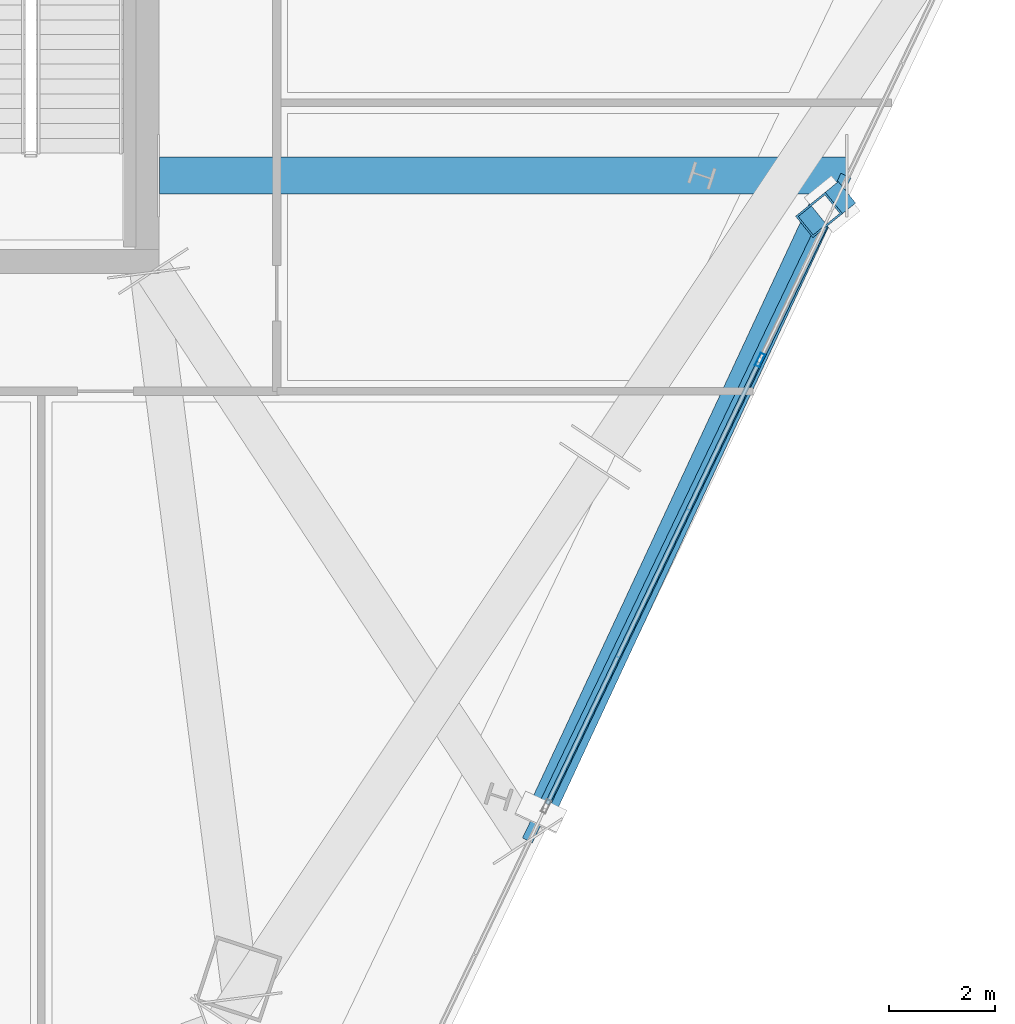
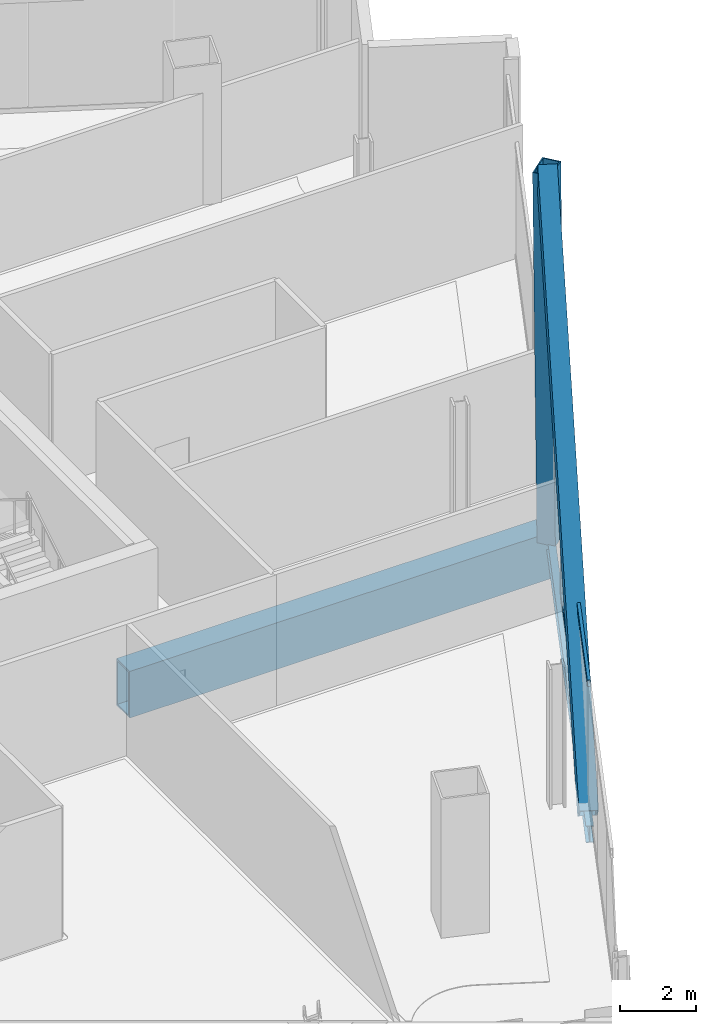
# One storey, part 7 of 24: 5 members, 2 beams, 1 element without a shape of its own.
"""IFC4 building model written with IfcOpenShell, lengths in metres."""

import ifcopenshell
import ifcopenshell.guid

model = None  # the IFC model being written
_history = None  # IfcOwnerHistory: only IFC2X3 demands one
_inside = {}  # id of a spatial element -> (the spatial element, [elements in it])
_under = {}  # id of a project, library or spatial element -> (it, [spatial elements below it])
_declared = {}  # id of a project -> (the project, [libraries it declares])
_typed = {}  # id of a type object -> (the type object, [elements of that type])
_made_of = {}  # id of a material, layer set ... -> (it, [elements and type objects made of it])


def new_model(schema):
    """Start an empty IFC model of exactly this schema.

    Asked for "IFC4X3", IfcOpenShell would pick the latest addendum, in which some entities
    have other attributes; the version numbers below select the first issue.
    IFC2X3 requires an IfcOwnerHistory on every rooted entity: one is made here for all.
    """
    global model, _history
    if schema == "IFC4X3":
        model = ifcopenshell.file(schema_version=(4, 3, 0, 0))
    else:
        model = ifcopenshell.file(schema=schema)
    _inside.clear()
    _under.clear()
    _declared.clear()
    _typed.clear()
    _made_of.clear()
    _history = None
    if model.schema == "IFC2X3":
        org = make("IfcOrganization", Name="unknown")
        user = make(
            "IfcPersonAndOrganization",
            ThePerson=make("IfcPerson", FamilyName="unknown"),
            TheOrganization=org,
        )
        app = make(
            "IfcApplication",
            ApplicationDeveloper=org,
            Version="unknown",
            ApplicationFullName="unknown",
            ApplicationIdentifier="unknown",
        )
        _history = make(
            "IfcOwnerHistory",
            OwningUser=user,
            OwningApplication=app,
            ChangeAction="ADDED",
            CreationDate=0,
        )
    return model


def make(cls, **values):
    """One entity of the class cls with the attributes given. An attribute that is None is left unset."""
    return model.create_entity(
        cls, **{name: value for name, value in values.items() if value is not None}
    )


def rooted(cls, **values):
    """An entity with a GlobalId (a new one), such as an element, a storey or a relation."""
    return make(cls, GlobalId=ifcopenshell.guid.new(), OwnerHistory=_history, **values)


def si_unit(unit_type, name, prefix=None):
    """IfcSIUnit, for example si_unit("LENGTHUNIT", "METRE", prefix="MILLI")."""
    return make("IfcSIUnit", UnitType=unit_type, Prefix=prefix, Name=name)


def assignment(units):
    """IfcUnitAssignment: the units of a project."""
    return None if units is None else make("IfcUnitAssignment", Units=units)


def point(xyz):
    """IfcCartesianPoint."""
    return None if xyz is None else make("IfcCartesianPoint", Coordinates=xyz)


def direction(xyz):
    """IfcDirection."""
    return None if xyz is None else make("IfcDirection", DirectionRatios=xyz)


def frame(location, z_axis=None, x_axis=None):
    """IfcAxis2Placement3D, a coordinate frame: its origin and axes. An axis left out is left unset."""
    return make(
        "IfcAxis2Placement3D",
        Location=point(location),
        Axis=direction(z_axis),
        RefDirection=direction(x_axis),
    )


def frame_2d(location, x_axis=None):
    """IfcAxis2Placement2D, a coordinate frame in the plane: its origin and x axis."""
    return make(
        "IfcAxis2Placement2D", Location=point(location), RefDirection=direction(x_axis)
    )


def origin():
    """The frame at (0, 0, 0) with its axes left unset."""
    return frame((0.0, 0.0, 0.0))


def origin_2d():
    """The frame at (0, 0) in the plane with its x axis left unset."""
    return frame_2d((0.0, 0.0))


def place(relative_to, where):
    """IfcLocalPlacement: puts the frame where relative to a parent placement (None: the world)."""
    return make(
        "IfcLocalPlacement", PlacementRelTo=relative_to, RelativePlacement=where
    )


def context(
    kind, dimensions, precision=None, world=None, true_north=None, identifier=None
):
    """IfcGeometricRepresentationContext, for example the 3D "Model" context."""
    return make(
        "IfcGeometricRepresentationContext",
        ContextIdentifier=identifier,
        ContextType=kind,
        CoordinateSpaceDimension=dimensions,
        Precision=precision,
        WorldCoordinateSystem=world,
        TrueNorth=true_north,
    )


def subcontext(parent, identifier, kind, view, scale=None):
    """IfcGeometricRepresentationSubContext, for example "Body" below "Model"."""
    return make(
        "IfcGeometricRepresentationSubContext",
        ContextIdentifier=identifier,
        ContextType=kind,
        ParentContext=parent,
        TargetScale=scale,
        TargetView=view,
    )


def project(units=None, contexts=None):
    """IfcProject with its units and contexts."""
    return rooted(
        "IfcProject",
        Name="project",
        RepresentationContexts=contexts,
        UnitsInContext=assignment(units),
    )


def spatial(cls, under=None, at=None, **own):
    """A site, building, storey or space (cls), placed at a placement, below another one or the project."""
    s = rooted(cls, ObjectPlacement=at, **own)
    if under is not None:
        _under.setdefault(under.id(), (under, []))[1].append(s)
    return s


def profile(cls, at=None, kind="AREA", **sizes):
    """A parametric profile (cls). Its sizes go by their IFC names, for example OverallWidth=200.0."""
    return make(cls, ProfileType=kind, Position=at, **sizes)


def hollow_rectangle(**sizes):
    """IfcRectangleHollowProfileDef."""
    return profile("IfcRectangleHollowProfileDef", **sizes)


def i_section(**sizes):
    """IfcIShapeProfileDef."""
    return profile("IfcIShapeProfileDef", **sizes)


def extrude(swept, where, along, depth):
    """IfcExtrudedAreaSolid: the profile swept, set in the frame where, extruded along a direction by depth."""
    return make(
        "IfcExtrudedAreaSolid",
        SweptArea=swept,
        Position=where,
        ExtrudedDirection=direction(along),
        Depth=depth,
    )


def shape(context_of_items, identifier, shape_type, items):
    """IfcShapeRepresentation: the items that make up one representation, for example the "Body"."""
    return make(
        "IfcShapeRepresentation",
        ContextOfItems=context_of_items,
        RepresentationIdentifier=identifier,
        RepresentationType=shape_type,
        Items=items,
    )


def material(Name=None, Category=None):
    """IfcMaterial."""
    return make("IfcMaterial", Name=Name, Category=Category)


def material_profile(
    of_material, cross_section, Name=None, Category=None, Priority=None
):
    """IfcMaterialProfile: a cross section and its material."""
    return make(
        "IfcMaterialProfile",
        Name=Name,
        Material=of_material,
        Profile=cross_section,
        Priority=Priority,
        Category=Category,
    )


def profile_set(profiles, Name=None, composite=None):
    """IfcMaterialProfileSet."""
    return make(
        "IfcMaterialProfileSet",
        Name=Name,
        MaterialProfiles=profiles,
        CompositeProfile=composite,
    )


def made_of(thing, what):
    """Note that an element or type object is made of a material, layer set ...; save() writes the relation."""
    if what is not None:
        _made_of.setdefault(what.id(), (what, []))[1].append(thing)
    return thing


def type_object(cls, material=None, **own):
    """A type object (cls), such as IfcWallType, which elements share."""
    return made_of(rooted(cls, **own), material)


def element(
    cls,
    number,
    at=None,
    inside=None,
    cuts=None,
    type_object=None,
    material=None,
    context=None,
    identifier="Body",
    shape_type=None,
    held_by="IfcProductDefinitionShape",
    body=None,
    shapes=None,
    **own,
):
    """One element of the class cls, such as IfcWall. Its Tag is "e" and its number.

    at: its placement. inside: the storey or other place that contains it. cuts: it is an
    opening in that element (IfcRelVoidsElement). A single representation is given by context,
    identifier, shape_type and body (its items); several are given by shapes. held_by: the class
    of the entity that holds the representations. save() writes the other relations.
    """
    e = rooted(cls, Tag="e%d" % number, ObjectPlacement=at, **own)
    if body is not None:
        shapes = [shape(context, identifier, shape_type, body)]
    if shapes is not None:
        e.Representation = make(held_by, Representations=shapes)
    if inside is not None:
        _inside.setdefault(inside.id(), (inside, []))[1].append(e)
    if cuts is not None:
        rooted(
            "IfcRelVoidsElement", RelatingBuildingElement=cuts, RelatedOpeningElement=e
        )
    if type_object is not None:
        _typed.setdefault(type_object.id(), (type_object, []))[1].append(e)
    return made_of(e, material)


def aggregate(whole, parts):
    """IfcRelAggregates: a whole, such as a stair, and the parts it consists of."""
    return rooted("IfcRelAggregates", RelatingObject=whole, RelatedObjects=parts)


def save(model, path):
    """Write the relations noted so far, then the file.

    IfcRelAggregates (storeys below a building ...), IfcRelContainedInSpatialStructure (elements
    in a storey), IfcRelDefinesByType, IfcRelAssociatesMaterial and IfcRelDeclares: one each for
    every whole, place, type object, material and project.
    """
    for whole, parts in _under.values():
        aggregate(whole, parts)
    for where, things in _inside.values():
        rooted(
            "IfcRelContainedInSpatialStructure",
            RelatedElements=things,
            RelatingStructure=where,
        )
    for kind, things in _typed.values():
        rooted("IfcRelDefinesByType", RelatedObjects=things, RelatingType=kind)
    for what, things in _made_of.values():
        rooted("IfcRelAssociatesMaterial", RelatedObjects=things, RelatingMaterial=what)
    for by, libraries in _declared.values():
        rooted("IfcRelDeclares", RelatingContext=by, RelatedDefinitions=libraries)
    model.write(path)


model = new_model("IFC4")

# Units and contexts
model_context = context("Model", 3, precision=1e-05, world=origin(), true_north=direction((0.0, 1.0)))
body_context = subcontext(model_context, "Body", "Model", "MODEL_VIEW")
ifc_project = project(units=[si_unit("LENGTHUNIT", "METRE"), si_unit("AREAUNIT", "SQUARE_METRE"), si_unit("VOLUMEUNIT", "CUBIC_METRE"), si_unit("PLANEANGLEUNIT", "RADIAN"), si_unit("MASSUNIT", "GRAM", prefix="KILO")], contexts=[model_context])

# Site, building, storey
site_placement = place(None, origin())
site = spatial("IfcSite", under=ifc_project, at=site_placement, CompositionType="ELEMENT")
building_placement = place(site_placement, origin())
building = spatial("IfcBuilding", under=site, at=building_placement, Name="Haldenkirk Collegiate Tower", CompositionType="ELEMENT")
storey_placement = place(building_placement, frame((0.0, 0.0, 244.199951171875)))
storey = spatial("IfcBuildingStorey", under=building, at=storey_placement, Name="L61", CompositionType="ELEMENT", Elevation=244.199951171875)

# Beams
ifc_material_1 = material(Name="Steel ASTM A992 Grade 50", Category="steel")
ifc_material_profile_1 = material_profile(ifc_material_1, i_section(OverallWidth=0.2099609375, OverallDepth=0.537109375, WebThickness=0.010986328125, FlangeThickness=0.017333984375, at=origin_2d()), Name="W21X68")
ifc_profile_set_1 = profile_set([ifc_material_profile_1], Name="Steel ASTM A992 Grade 50")
beam_type_1 = type_object("IfcBeamType", Name="BM-SPANDREL-W21X68", PredefinedType="SPANDREL", material=ifc_profile_set_1)
beam_1_placement = place(storey_placement, frame((52.18603515625, 7.06201171875, -0.66845703125), z_axis=(0.432098502621, 0.901826415688, 0.0), x_axis=(-0.901826415688, 0.432098502621, 0.0)))
element("IfcBeam", 1, at=beam_1_placement, inside=storey, type_object=beam_type_1, Name="L61 outer facade edge beam 1", PredefinedType="SPANDREL", context=body_context, shape_type="SweptSolid", body=[
    extrude(i_section(OverallWidth=0.2099609375, OverallDepth=0.537109375, WebThickness=0.010986328125, FlangeThickness=0.017333984375, at=origin_2d()), origin(), (0.0, 0.0, 1.0), 13.9296875),
])
ifc_material_2 = material(Name="Steel ASTM A572 Grade 50", Category="steel")
ifc_material_profile_2 = material_profile(ifc_material_2, hollow_rectangle(XDim=0.699951171875, YDim=1.5, WallThickness=0.06005859375, at=origin_2d()), Name="BOX1500X700X60")
ifc_profile_set_2 = profile_set([ifc_material_profile_2], Name="Steel ASTM A572 Grade 50")
beam_type_2 = type_object("IfcBeamType", Name="BM-TRANSFER-BOX1500X700X60", PredefinedType="BEAM", material=ifc_profile_set_2)
beam_2_placement = place(storey_placement, frame((58.205078125, 19.624267578125, -1.14990234375), z_axis=(-1.0, 0.0, 0.0), x_axis=(0.0, -1.0, 0.0)))
element("IfcBeam", 2, at=beam_2_placement, inside=storey, type_object=beam_type_2, Name="L61 sky-lobby radial transfer girder 06", PredefinedType="BEAM", context=body_context, shape_type="SweptSolid", body=[
    extrude(hollow_rectangle(XDim=0.699951171875, YDim=1.5, WallThickness=0.06005859375, at=origin_2d()), origin(), (0.0, 0.0, 1.0), 12.97509765625),
])

# Curtain wall, members
ifc_material_3 = material(Name="Anodised architectural bronze aluminium", Category="aluminium")
curtain_wall_type = type_object("IfcCurtainWallType", Name="CW-SYS4-SKYGARDEN", PredefinedType="USERDEFINED", material=ifc_material_3)
curtain_wall_placement = place(storey_placement, origin())
curtain_wall = element("IfcCurtainWall", 3, at=curtain_wall_placement, inside=storey, type_object=curtain_wall_type, Name="L61 Sky-garden tall bronze curtain wall", ObjectType="UNITISED CURTAIN WALL", PredefinedType="USERDEFINED")
ifc_material_profile_3 = material_profile(ifc_material_3, hollow_rectangle(XDim=0.090087890625, YDim=0.260009765625, WallThickness=0.0048828125, at=origin_2d()), Name="CW-MUL-04")
ifc_profile_set_3 = profile_set([ifc_material_profile_3], Name="Anodised architectural bronze aluminium")
member_type_1 = type_object("IfcMemberType", Name="CW-MUL-04", PredefinedType="MULLION", material=ifc_profile_set_3)
member_1_placement = place(storey_placement, frame((56.579833984375, 16.139892578125, 0.0), z_axis=(0.0, 0.0, 1.0), x_axis=(0.901833958331, -0.43208276013, 0.0)))
member_1 = element("IfcMember", 4, at=member_1_placement, type_object=member_type_1, Name="CW-04 mullion 3", PredefinedType="MULLION", context=body_context, shape_type="SweptSolid", body=[
    extrude(hollow_rectangle(XDim=0.090087890625, YDim=0.260009765625, WallThickness=0.0048828125, at=origin_2d()), origin(), (0.0, 0.0, 1.0), 3.68798828125),
])
ifc_material_profile_4 = material_profile(ifc_material_3, hollow_rectangle(XDim=0.090087890625, YDim=0.2099609375, WallThickness=0.0048828125, at=origin_2d()), Name="CW-TRN-04")
ifc_profile_set_4 = profile_set([ifc_material_profile_4], Name="Anodised architectural bronze aluminium")
member_type_2 = type_object("IfcMemberType", Name="CW-TRN-04", PredefinedType="USERDEFINED", material=ifc_profile_set_4)
member_2_placement = place(storey_placement, frame((56.560302734375, 16.09912109375, 0.045166015625), z_axis=(-0.432079528752, -0.901835506527, 0.0), x_axis=(0.901835506527, -0.432079528752, 0.0)))
member_2 = element("IfcMember", 5, at=member_2_placement, type_object=member_type_2, Name="CW-04 transom 3.1", ObjectType="TRANSOM", PredefinedType="USERDEFINED", context=body_context, shape_type="SweptSolid", body=[
    extrude(hollow_rectangle(XDim=0.090087890625, YDim=0.2099609375, WallThickness=0.0048828125, at=origin_2d()), origin(), (0.0, 0.0, 1.0), 9.259765625),
])
member_3_placement = place(storey_placement, frame((56.560302734375, 16.09912109375, 3.64306640625), z_axis=(-0.432079528752, -0.901835506527, 0.0), x_axis=(0.901835506527, -0.432079528752, 0.0)))
member_3 = element("IfcMember", 6, at=member_3_placement, type_object=member_type_2, Name="CW-04 transom 3.2", ObjectType="TRANSOM", PredefinedType="USERDEFINED", context=body_context, shape_type="SweptSolid", body=[
    extrude(hollow_rectangle(XDim=0.090087890625, YDim=0.2099609375, WallThickness=0.0048828125, at=origin_2d()), origin(), (0.0, 0.0, 1.0), 9.259765625),
])
aggregate(curtain_wall, [member_1, member_2, member_3])

# Members
ifc_material_profile_5 = material_profile(ifc_material_2, hollow_rectangle(XDim=0.52001953125, YDim=0.719970703125, WallThickness=0.035888671875, at=origin_2d()), Name="BOX720X520X36")
ifc_profile_set_5 = profile_set([ifc_material_profile_5], Name="Steel ASTM A572 Grade 50")
member_type_3 = type_object("IfcMemberType", Name="MBR-MEGABRACE-BOX720X520X36", PredefinedType="BRACE", material=ifc_profile_set_5)
member_4_placement = place(storey_placement, frame((52.4453125, 7.60302734375, -0.409912109375), z_axis=(0.302261687924, 0.64910462141, 0.698069525533), x_axis=(-0.906532737747, 0.422135517806, 0.0)))
element("IfcMember", 7, at=member_4_placement, inside=storey, type_object=member_type_3, Name="Perimeter Mega Brace Z5 L61-L63 SL", PredefinedType="BRACE", context=body_context, shape_type="SweptSolid", body=[
    extrude(hollow_rectangle(XDim=0.52001953125, YDim=0.719970703125, WallThickness=0.035888671875, at=origin_2d()), origin(), (0.0, 0.0, 1.0), 17.376220703125),
])
member_5_placement = place(storey_placement, frame((57.94580078125, 19.083251953125, -0.409912109375), z_axis=(-0.020462266698, -0.016579063677, 0.999653154994), x_axis=(0.62952783903, -0.776977927541, 0.0)))
element("IfcMember", 8, at=member_5_placement, inside=storey, type_object=member_type_3, Name="Perimeter Mega Brace Z5 L61-L63 SR", PredefinedType="BRACE", context=body_context, shape_type="SweptSolid", body=[
    extrude(hollow_rectangle(XDim=0.52001953125, YDim=0.719970703125, WallThickness=0.035888671875, at=origin_2d()), origin(), (0.0, 0.0, 1.0), 12.134033203125),
])

save(model, "model.ifc")
